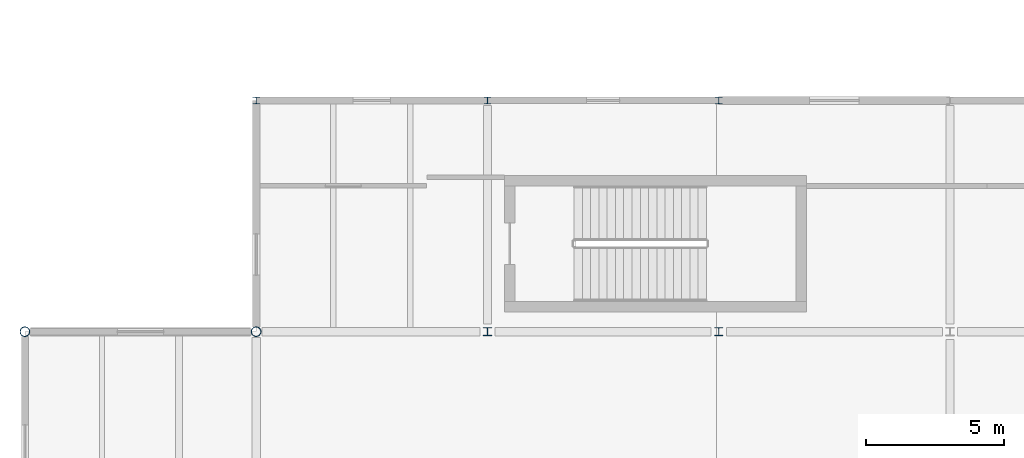
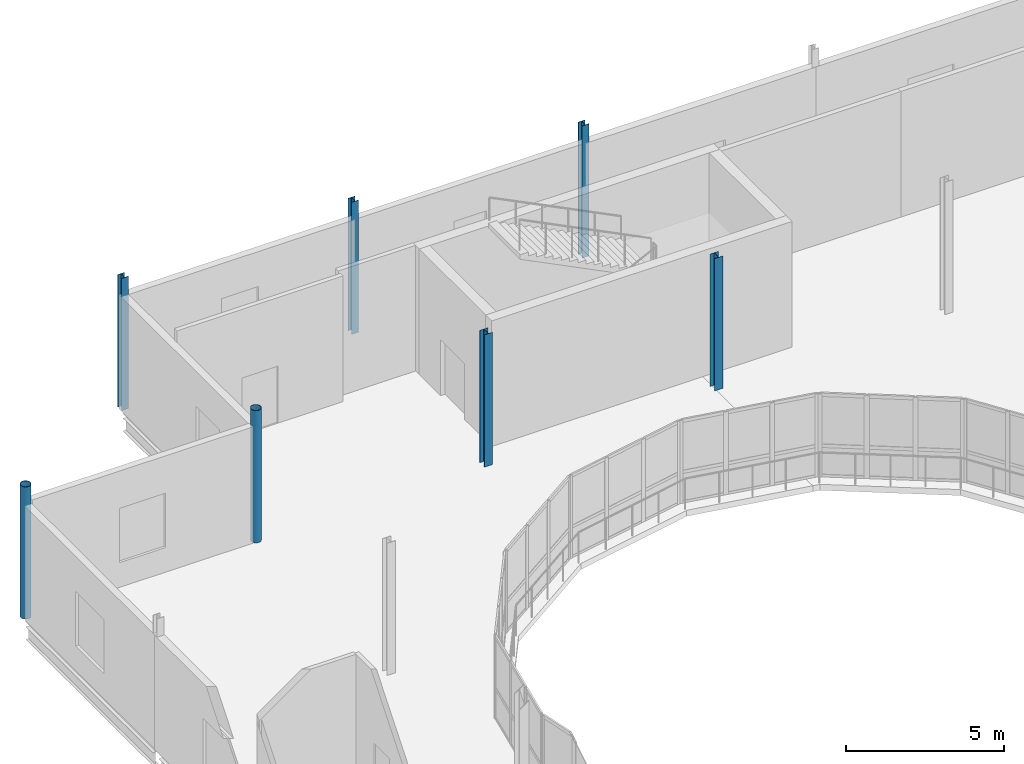
# One storey, part 9 of 91: 7 columns.
"""IFC4 building model written with IfcOpenShell, lengths in metres."""

from ifc_helpers import new_model, si_unit, direction, frame, origin, origin_2d, place, context, subcontext, project, spatial, hollow_circle, i_section, extrude, material, material_profile, profile_set, type_object, element, save


model = new_model("IFC4")

# Units and contexts
model_context = context("Model", 3, precision=1e-05, world=origin(), true_north=direction((0.0, 1.0)))
body_context = subcontext(model_context, "Body", "Model", "MODEL_VIEW")
ifc_project = project(units=[si_unit("LENGTHUNIT", "METRE"), si_unit("AREAUNIT", "SQUARE_METRE"), si_unit("VOLUMEUNIT", "CUBIC_METRE"), si_unit("PLANEANGLEUNIT", "RADIAN"), si_unit("MASSUNIT", "GRAM", prefix="KILO"), si_unit("THERMODYNAMICTEMPERATUREUNIT", "KELVIN")], contexts=[model_context])

# Site, building, storey
site_placement = place(None, origin())
site = spatial("IfcSite", under=ifc_project, at=site_placement, CompositionType="ELEMENT")
building_placement = place(site_placement, origin())
building = spatial("IfcBuilding", under=site, at=building_placement, Name="Lustrewick Department Store", CompositionType="ELEMENT")
storey_placement = place(building_placement, frame((0.0, 0.0, 21.60009765625)))
storey = spatial("IfcBuildingStorey", under=building, at=storey_placement, Name="L05", CompositionType="ELEMENT", Elevation=21.60009765625)

# Columns
ifc_material = material(Name="Structural steel Q355B", Category="steel")
ifc_material_profile_1 = material_profile(ifc_material, i_section(OverallWidth=0.300048828125, OverallDepth=0.300048828125, WebThickness=0.010009765625, FlangeThickness=0.014892578125, FilletRadius=0.01806640625, at=origin_2d()), Name="HW 300x300x10x15")
ifc_profile_set_1 = profile_set([ifc_material_profile_1], Name="Structural steel Q355B")
column_type_1 = type_object("IfcColumnType", Name="C15", PredefinedType="COLUMN", material=ifc_profile_set_1)
for number, where, z_axis, x_axis, name in (
    (1, (25.199951171875, 84.0, 0.0), (0.0, 0.0, 1.0), (1.0, 0.0, 0.0), "L05 V1 Column C15"),
    (2, (33.60009765625, 84.0, 0.0), (0.0, 0.0, 1.0), (1.0, 0.0, 0.0), "L05 V1 Column C15"),
):
    element("IfcColumn", number, at=place(storey_placement, frame(where, z_axis=z_axis, x_axis=x_axis)), inside=storey, type_object=column_type_1, Name=name, PredefinedType="COLUMN", context=body_context, shape_type="SweptSolid", body=[
        extrude(i_section(OverallWidth=0.300048828125, OverallDepth=0.300048828125, WebThickness=0.010009765625, FlangeThickness=0.014892578125, FilletRadius=0.01806640625, at=origin_2d()), origin(), (0.0, 0.0, 1.0), 5.099853515625),
    ])
ifc_material_profile_2 = material_profile(ifc_material, hollow_circle(Radius=0.177978515625, WallThickness=0.013916015625, at=origin_2d()), Name="CHS 356x14")
ifc_profile_set_2 = profile_set([ifc_material_profile_2], Name="Structural steel Q355B")
column_type_2 = type_object("IfcColumnType", Name="CE05", PredefinedType="COLUMN", material=ifc_profile_set_2)
for number, where, z_axis, x_axis, name in (
    (3, (8.39990234375, 84.0, 0.0), (0.0, 0.0, 1.0), (1.0, 0.0, 0.0), "L05 V1 Column CE05"),
    (4, (16.800048828125, 84.0, 0.0), (0.0, 0.0, 1.0), (1.0, 0.0, 0.0), "L05 V1 Column CE05"),
):
    element("IfcColumn", number, at=place(storey_placement, frame(where, z_axis=z_axis, x_axis=x_axis)), inside=storey, type_object=column_type_2, Name=name, PredefinedType="COLUMN", context=body_context, shape_type="SweptSolid", body=[
        extrude(hollow_circle(Radius=0.177978515625, WallThickness=0.013916015625, at=origin_2d()), origin(), (0.0, 0.0, 1.0), 5.099853515625),
    ])
ifc_material_profile_3 = material_profile(ifc_material, i_section(OverallWidth=0.25, OverallDepth=0.25, WebThickness=0.009033203125, FlangeThickness=0.013916015625, FilletRadius=0.01611328125, at=origin_2d()), Name="HW 250x250x9x14")
ifc_profile_set_3 = profile_set([ifc_material_profile_3], Name="Structural steel Q355B")
column_type_3 = type_object("IfcColumnType", Name="CE08", PredefinedType="COLUMN", material=ifc_profile_set_3)
for number, where, z_axis, x_axis, name in (
    (5, (16.800048828125, 92.39990234375, 0.0), (0.0, 0.0, 1.0), (1.0, 0.0, 0.0), "L05 V1 Column CE08"),
    (6, (25.199951171875, 92.39990234375, 0.0), (0.0, 0.0, 1.0), (1.0, 0.0, 0.0), "L05 V1 Column CE08"),
    (7, (33.60009765625, 92.39990234375, 0.0), (0.0, 0.0, 1.0), (1.0, 0.0, 0.0), "L05 V1 Column CE08"),
):
    element("IfcColumn", number, at=place(storey_placement, frame(where, z_axis=z_axis, x_axis=x_axis)), inside=storey, type_object=column_type_3, Name=name, PredefinedType="COLUMN", context=body_context, shape_type="SweptSolid", body=[
        extrude(i_section(OverallWidth=0.25, OverallDepth=0.25, WebThickness=0.009033203125, FlangeThickness=0.013916015625, FilletRadius=0.01611328125, at=origin_2d()), origin(), (0.0, 0.0, 1.0), 5.099853515625),
    ])

save(model, "model.ifc")
